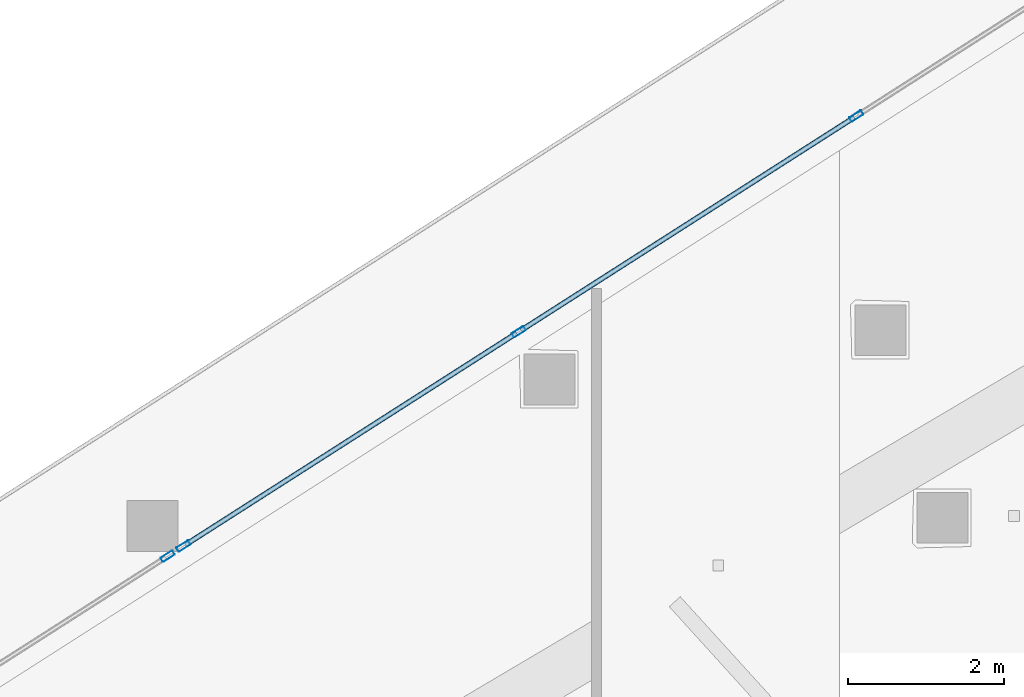
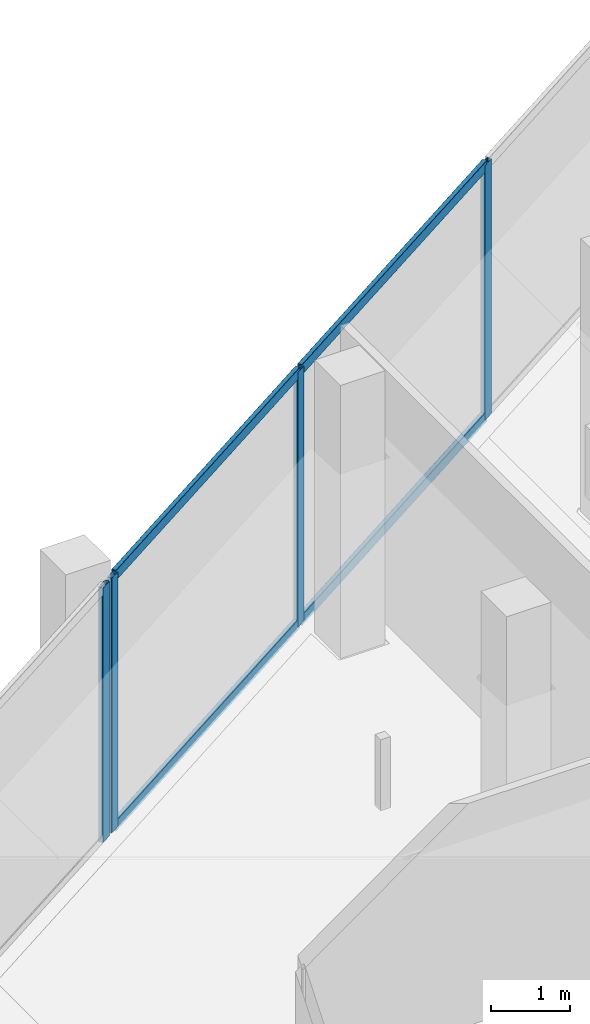
# One storey, part 18 of 45: 8 members, 2 elements without a shape of their own.
"""IFC4 building model written with IfcOpenShell, lengths in metres."""

from ifc_helpers import new_model, si_unit, direction, frame, origin, origin_2d, place, context, subcontext, project, spatial, hollow_rectangle, extrude, material, layer, layer_set, material_profile, profile_set, type_object, element, aggregate, save


model = new_model("IFC4")

# Units and contexts
model_context = context("Model", 3, precision=1e-05, world=origin(), true_north=direction((0.0, 1.0)))
body_context = subcontext(model_context, "Body", "Model", "MODEL_VIEW")
ifc_project = project(units=[si_unit("LENGTHUNIT", "METRE"), si_unit("AREAUNIT", "SQUARE_METRE"), si_unit("VOLUMEUNIT", "CUBIC_METRE"), si_unit("PLANEANGLEUNIT", "RADIAN"), si_unit("MASSUNIT", "GRAM", prefix="KILO")], contexts=[model_context])

# Site, building, storey
site_placement = place(None, origin())
site = spatial("IfcSite", under=ifc_project, at=site_placement, CompositionType="ELEMENT")
building_placement = place(site_placement, origin())
building = spatial("IfcBuilding", under=site, at=building_placement, Name="Qorvath Tower", CompositionType="ELEMENT")
storey_placement = place(building_placement, frame((0.0, 0.0, 66.0)))
storey = spatial("IfcBuildingStorey", under=building, at=storey_placement, Name="L14", CompositionType="ELEMENT", Elevation=66.0)

# Curtain wall, members
ifc_material_1 = material(Name="Anodised aluminium and triple low-E glass", Category="aluminium")
ifc_layer = layer(ifc_material_1, 0.179931640625)
ifc_layer_set = layer_set([ifc_layer], Name="CW-SYS-2")
curtain_wall_type = type_object("IfcCurtainWallType", Name="CW-SYS-2", PredefinedType="NOTDEFINED", material=ifc_layer_set)
curtain_wall_1_placement = place(storey_placement, origin())
curtain_wall_1 = element("IfcCurtainWall", 1, at=curtain_wall_1_placement, inside=storey, type_object=curtain_wall_type, Name="Curtain Wall CW-2 CW-T-L14-16.2", PredefinedType="NOTDEFINED")
ifc_material_2 = material(Name="Anodised aluminium 6063-T6", Category="aluminium")
ifc_material_profile_1 = material_profile(ifc_material_2, hollow_rectangle(XDim=0.06494140625, YDim=0.179931640625, WallThickness=0.00341796875, InnerFilletRadius=0.00341796875, OuterFilletRadius=0.007080078125, at=origin_2d()), Name="CWM 180x65")
ifc_profile_set_1 = profile_set([ifc_material_profile_1], Name="Anodised aluminium 6063-T6")
member_type_1 = type_object("IfcMemberType", Name="CWM-180", PredefinedType="MULLION", material=ifc_profile_set_1)
member_1_placement = place(storey_placement, frame((-31.325439453125, 22.2001953125, 0.0), z_axis=(0.0, 0.0, 1.0), x_axis=(0.538542221685, -0.842598525671, 0.0)))
member_1 = element("IfcMember", 2, at=member_1_placement, type_object=member_type_1, Name="CW-2 mullion 4", PredefinedType="MULLION", context=body_context, shape_type="SweptSolid", body=[
    extrude(hollow_rectangle(XDim=0.06494140625, YDim=0.179931640625, WallThickness=0.00341796875, InnerFilletRadius=0.00341796875, OuterFilletRadius=0.007080078125, at=origin_2d()), origin(), (0.0, 0.0, 1.0), 3.919921875),
])
member_2_placement = place(storey_placement, frame((-35.64404296875, 19.43994140625, 0.0), z_axis=(0.0, 0.0, 1.0), x_axis=(0.538542221685, -0.842598525671, 0.0)))
member_2 = element("IfcMember", 3, at=member_2_placement, type_object=member_type_1, Name="CW-2 mullion 5", PredefinedType="MULLION", context=body_context, shape_type="SweptSolid", body=[
    extrude(hollow_rectangle(XDim=0.06494140625, YDim=0.179931640625, WallThickness=0.00341796875, InnerFilletRadius=0.00341796875, OuterFilletRadius=0.007080078125, at=origin_2d()), origin(), (0.0, 0.0, 1.0), 3.919921875),
])
member_3_placement = place(storey_placement, frame((-39.93505859375, 16.697509765625, 0.0), z_axis=(0.0, 0.0, 1.0), x_axis=(0.538542221685, -0.842598525671, 0.0)))
member_3 = element("IfcMember", 4, at=member_3_placement, type_object=member_type_1, Name="CW-2 mullion 6", PredefinedType="MULLION", context=body_context, shape_type="SweptSolid", body=[
    extrude(hollow_rectangle(XDim=0.06494140625, YDim=0.179931640625, WallThickness=0.00341796875, InnerFilletRadius=0.00341796875, OuterFilletRadius=0.007080078125, at=origin_2d()), origin(), (0.0, 0.0, 1.0), 3.919921875),
])

# Curtain wall, member
curtain_wall_2_placement = place(storey_placement, origin())
curtain_wall_2 = element("IfcCurtainWall", 5, at=curtain_wall_2_placement, inside=storey, type_object=curtain_wall_type, Name="Curtain Wall CW-2 CW-T-L14-16.3", PredefinedType="NOTDEFINED")
member_4_placement = place(storey_placement, frame((-40.136962890625, 16.568115234375, 0.0), z_axis=(0.0, 0.0, 1.0), x_axis=(0.538530641183, -0.842605927173, 0.0)))
member_4 = element("IfcMember", 6, at=member_4_placement, type_object=member_type_1, Name="CW-2 mullion 1", PredefinedType="MULLION", context=body_context, shape_type="SweptSolid", body=[
    extrude(hollow_rectangle(XDim=0.06494140625, YDim=0.179931640625, WallThickness=0.00341796875, InnerFilletRadius=0.00341796875, OuterFilletRadius=0.007080078125, at=origin_2d()), origin(), (0.0, 0.0, 1.0), 3.919921875),
])
aggregate(curtain_wall_2, [member_4])

# Member
ifc_material_3 = material(Name="Anodised aluminium 6063-T6", Category="aluminium")
ifc_material_profile_2 = material_profile(ifc_material_3, hollow_rectangle(XDim=0.06494140625, YDim=0.159912109375, WallThickness=0.00341796875, InnerFilletRadius=0.00341796875, OuterFilletRadius=0.007080078125, at=origin_2d()), Name="CWT 160x65")
ifc_profile_set_2 = profile_set([ifc_material_profile_2], Name="Anodised aluminium 6063-T6")
member_type_2 = type_object("IfcMemberType", Name="CWT-160", PredefinedType="USERDEFINED", material=ifc_profile_set_2)
member_5_placement = place(storey_placement, frame((-31.352783203125, 22.1826171875, 0.032470703125), z_axis=(-0.842598957411, -0.538541546188, 0.0), x_axis=(0.538541546188, -0.842598957411, 0.0)))
member_5 = element("IfcMember", 7, at=member_5_placement, type_object=member_type_2, Name="CW-2 transom 4.1", ObjectType="TRANSOM", PredefinedType="USERDEFINED", context=body_context, shape_type="SweptSolid", body=[
    extrude(hollow_rectangle(XDim=0.06494140625, YDim=0.159912109375, WallThickness=0.00341796875, InnerFilletRadius=0.00341796875, OuterFilletRadius=0.007080078125, at=origin_2d()), origin(), (0.0, 0.0, 1.0), 5.06005859375),
])

member_6_placement = place(storey_placement, frame((-31.352783203125, 22.1826171875, 3.887451171875), z_axis=(-0.842598957411, -0.538541546188, 0.0), x_axis=(0.538541546188, -0.842598957411, 0.0)))
member_6 = element("IfcMember", 8, at=member_6_placement, type_object=member_type_2, Name="CW-2 transom 4.2", ObjectType="TRANSOM", PredefinedType="USERDEFINED", context=body_context, shape_type="SweptSolid", body=[
    extrude(hollow_rectangle(XDim=0.06494140625, YDim=0.159912109375, WallThickness=0.00341796875, InnerFilletRadius=0.00341796875, OuterFilletRadius=0.007080078125, at=origin_2d()), origin(), (0.0, 0.0, 1.0), 5.06005859375),
])

member_7_placement = place(storey_placement, frame((-35.67138671875, 19.422607421875, 0.032470703125), z_axis=(-0.842586087681, -0.538561681562, 0.0), x_axis=(0.538561681562, -0.842586087681, 0.0)))
member_7 = element("IfcMember", 9, at=member_7_placement, type_object=member_type_2, Name="CW-2 transom 5.1", ObjectType="TRANSOM", PredefinedType="USERDEFINED", context=body_context, shape_type="SweptSolid", body=[
    extrude(hollow_rectangle(XDim=0.06494140625, YDim=0.159912109375, WallThickness=0.00341796875, InnerFilletRadius=0.00341796875, OuterFilletRadius=0.007080078125, at=origin_2d()), origin(), (0.0, 0.0, 1.0), 5.02783203125),
])

member_8_placement = place(storey_placement, frame((-35.67138671875, 19.422607421875, 3.887451171875), z_axis=(-0.842586087681, -0.538561681562, 0.0), x_axis=(0.538561681562, -0.842586087681, 0.0)))
member_8 = element("IfcMember", 10, at=member_8_placement, type_object=member_type_2, Name="CW-2 transom 5.2", ObjectType="TRANSOM", PredefinedType="USERDEFINED", context=body_context, shape_type="SweptSolid", body=[
    extrude(hollow_rectangle(XDim=0.06494140625, YDim=0.159912109375, WallThickness=0.00341796875, InnerFilletRadius=0.00341796875, OuterFilletRadius=0.007080078125, at=origin_2d()), origin(), (0.0, 0.0, 1.0), 5.02783203125),
])

aggregate(curtain_wall_1, [member_1, member_2, member_3, member_5, member_6, member_7, member_8])

save(model, "model.ifc")
